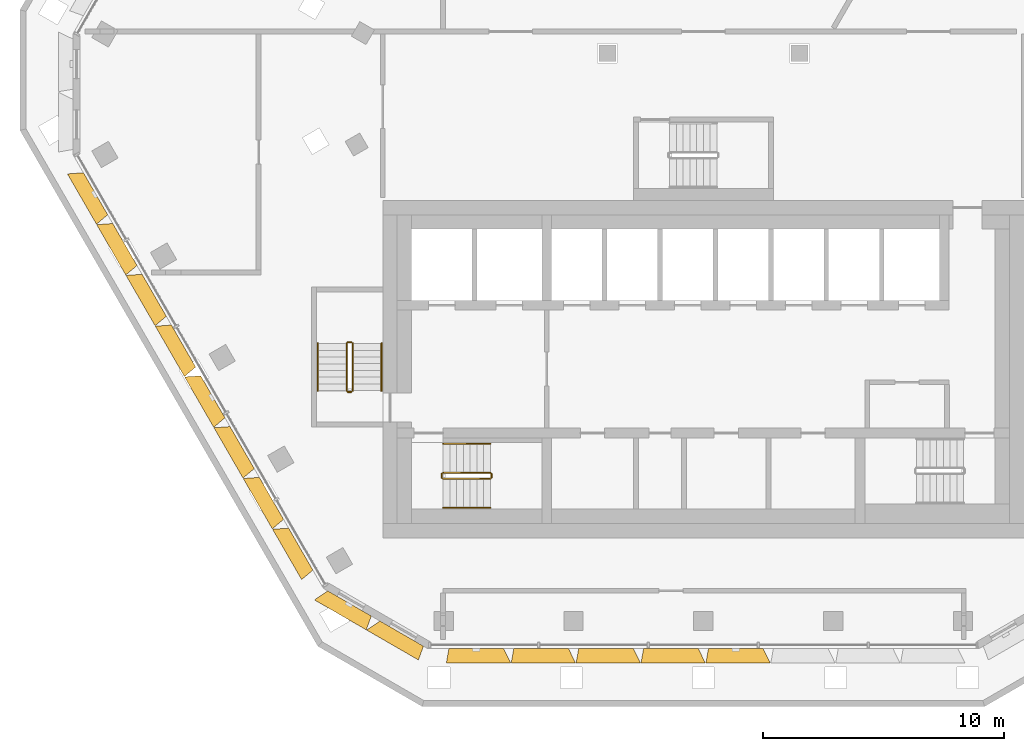
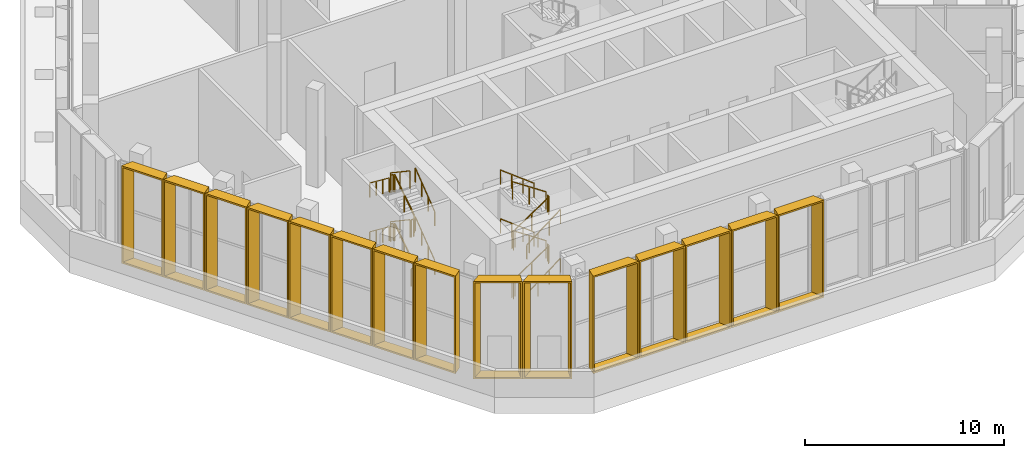
# One storey, part 19 of 23: 24 railings, 15 shading devices.
"""IFC4 building model written with IfcOpenShell, lengths in metres."""

from ifc_helpers import new_model, entity, si_unit, direction, frame, origin, origin_2d, place, context, subcontext, project, spatial, rectangle, extrude, source, transform, mapped, material, type_object, type_shapes, element, save


model = new_model("IFC4")

# Units and contexts
model_context = context("Model", 3, precision=1e-05, world=origin(), true_north=direction((0.0, 1.0)))
body_context = subcontext(model_context, "Body", "Model", "MODEL_VIEW")
ifc_project = project(units=[si_unit("LENGTHUNIT", "METRE"), si_unit("AREAUNIT", "SQUARE_METRE"), si_unit("VOLUMEUNIT", "CUBIC_METRE"), si_unit("PLANEANGLEUNIT", "RADIAN"), si_unit("MASSUNIT", "GRAM", prefix="KILO")], contexts=[model_context])

# Site, building, storey
site_placement = place(None, origin())
site = spatial("IfcSite", under=ifc_project, at=site_placement, CompositionType="ELEMENT")
building_placement = place(site_placement, origin())
building = spatial("IfcBuilding", under=site, at=building_placement, Name="Beryl Residences", CompositionType="ELEMENT")
storey_placement = place(building_placement, frame((0.0, 0.0, 157.199951171875)))
storey = spatial("IfcBuildingStorey", under=building, at=storey_placement, Name="L48", CompositionType="ELEMENT", Elevation=157.199951171875)

# Shading devices
ifc_material_1 = material(Name="Aluminium pale anodised", Category="aluminium")
shading_device_type_1 = type_object("IfcShadingDeviceType", Name="FR243-60B-H60 OUTER SKIN frame 600 mm deep, splay 26/10 deg, 2430 x 6000 mm cell", PredefinedType="USERDEFINED", material=ifc_material_1)
cartesian_point_1 = entity("IfcCartesianPoint", [-1.005615234375, 0.0])
cartesian_point_2 = entity("IfcCartesianPoint", [-0.91650390625, 0.10009765625])
cartesian_point_3 = entity("IfcCartesianPoint", [-1.298095703125, 0.0])
cartesian_point_4 = entity("IfcCartesianPoint", [-1.209228515625, 0.10009765625])
shared_shape_1 = source(origin(), body_context, "Body", "SweptSolid", [
    entity("IfcExtrudedAreaSolidTapered", entity("IfcArbitraryProfileDefWithVoids", "AREA", None, entity("IfcPolyline", [cartesian_point_1, entity("IfcCartesianPoint", [1.005615234375, 0.0]), entity("IfcCartesianPoint", [1.005615234375, 6.0]), entity("IfcCartesianPoint", [-1.005615234375, 6.0]), cartesian_point_1]), [entity("IfcPolyline", [cartesian_point_2, entity("IfcCartesianPoint", [0.92431640625, 0.10009765625]), entity("IfcCartesianPoint", [0.92431640625, 5.89990234375]), entity("IfcCartesianPoint", [-0.91650390625, 5.89990234375]), cartesian_point_2])]), entity("IfcAxis2Placement3D", entity("IfcCartesianPoint", [0.0, 0.0, 0.0]), entity("IfcDirection", [0.0, 1.0, 0.0]), entity("IfcDirection", [-1.0, 0.0, 0.0])), entity("IfcDirection", [0.0, 0.0, 1.0]), 0.60009765625, entity("IfcArbitraryProfileDefWithVoids", "AREA", None, entity("IfcPolyline", [cartesian_point_3, entity("IfcCartesianPoint", [1.111328125, 0.0]), entity("IfcCartesianPoint", [1.111328125, 6.0]), entity("IfcCartesianPoint", [-1.298095703125, 6.0]), cartesian_point_3]), [entity("IfcPolyline", [cartesian_point_4, entity("IfcCartesianPoint", [1.030029296875, 0.10009765625]), entity("IfcCartesianPoint", [1.030029296875, 5.89990234375]), entity("IfcCartesianPoint", [-1.209228515625, 5.89990234375]), cartesian_point_4])])),
])
type_shapes(shading_device_type_1, [shared_shape_1])
for number, where, z_axis, x_axis, name in (
    (1, (-25.212890625, -4.72802734375, 0.0), (0.0, 0.0, 1.0), (-0.5, 0.866025403784, 0.0), "FR243-60B-H60 frame L48 SW 1"),
    (2, (-23.9970703125, -6.833984375, 0.0), (0.0, 0.0, 1.0), (-0.5, 0.866025403784, 0.0), "FR243-60B-H60 frame L48 SW 2"),
    (3, (-22.781005859375, -8.93994140625, 0.0), (0.0, 0.0, 1.0), (-0.5, 0.866025403784, 0.0), "FR243-60B-H60 frame L48 SW 3"),
    (4, (-21.56494140625, -11.0458984375, 0.0), (0.0, 0.0, 1.0), (-0.5, 0.866025403784, 0.0), "FR243-60B-H60 frame L48 SW 4"),
    (5, (-20.35009765625, -13.152099609375, 0.0), (0.0, 0.0, 1.0), (-0.5, 0.866025403784, 0.0), "FR243-60B-H60 frame L48 SW 5"),
    (6, (-19.134033203125, -15.258056640625, 0.0), (0.0, 0.0, 1.0), (-0.5, 0.866025403784, 0.0), "FR243-60B-H60 frame L48 SW 6"),
    (7, (-17.91796875, -17.364990234375, 0.0), (0.0, 0.0, 1.0), (-0.5, 0.866025403784, 0.0), "FR243-60B-H60 frame L48 SW 7"),
    (8, (-16.701904296875, -19.470947265625, 0.0), (0.0, 0.0, 1.0), (-0.5, 0.866025403784, 0.0), "FR243-60B-H60 frame L48 SW 8"),
):
    element("IfcShadingDevice", number, at=place(storey_placement, frame(where, z_axis=z_axis, x_axis=x_axis)), inside=storey, type_object=shading_device_type_1, Name=name, ObjectType="OUTER SKIN", PredefinedType="USERDEFINED", context=body_context, shape_type="MappedRepresentation", body=[
        mapped(shared_shape_1, transform((0.0, 0.0, 0.0))),
    ])
ifc_material_2 = material(Name="Aluminium pale anodised", Category="aluminium")
shading_device_type_2 = type_object("IfcShadingDeviceType", Name="FR250-60B-H60 OUTER SKIN frame 600 mm deep, splay 26/10 deg, 2500 x 6000 mm cell", PredefinedType="USERDEFINED", material=ifc_material_2)
cartesian_point_5 = entity("IfcCartesianPoint", [-1.04052734375, 0.0])
cartesian_point_6 = entity("IfcCartesianPoint", [-0.951416015625, 0.10009765625])
cartesian_point_7 = entity("IfcCartesianPoint", [-1.333251953125, 0.0])
cartesian_point_8 = entity("IfcCartesianPoint", [-1.244140625, 0.10009765625])
shared_shape_2 = source(origin(), body_context, "Body", "SweptSolid", [
    entity("IfcExtrudedAreaSolidTapered", entity("IfcArbitraryProfileDefWithVoids", "AREA", None, entity("IfcPolyline", [cartesian_point_5, entity("IfcCartesianPoint", [1.04052734375, 0.0]), entity("IfcCartesianPoint", [1.04052734375, 6.0]), entity("IfcCartesianPoint", [-1.04052734375, 6.0]), cartesian_point_5]), [entity("IfcPolyline", [cartesian_point_6, entity("IfcCartesianPoint", [0.959228515625, 0.10009765625]), entity("IfcCartesianPoint", [0.959228515625, 5.89990234375]), entity("IfcCartesianPoint", [-0.951416015625, 5.89990234375]), cartesian_point_6])]), entity("IfcAxis2Placement3D", entity("IfcCartesianPoint", [0.0, 0.0, 0.0]), entity("IfcDirection", [0.0, 1.0, 0.0]), entity("IfcDirection", [-1.0, 0.0, 0.0])), entity("IfcDirection", [0.0, 0.0, 1.0]), 0.60009765625, entity("IfcArbitraryProfileDefWithVoids", "AREA", None, entity("IfcPolyline", [cartesian_point_7, entity("IfcCartesianPoint", [1.146240234375, 0.0]), entity("IfcCartesianPoint", [1.146240234375, 6.0]), entity("IfcCartesianPoint", [-1.333251953125, 6.0]), cartesian_point_7]), [entity("IfcPolyline", [cartesian_point_8, entity("IfcCartesianPoint", [1.06494140625, 0.10009765625]), entity("IfcCartesianPoint", [1.06494140625, 5.89990234375]), entity("IfcCartesianPoint", [-1.244140625, 5.89990234375]), cartesian_point_8])])),
])
type_shapes(shading_device_type_2, [shared_shape_2])
for number, where, z_axis, x_axis, name in (
    (9, (-14.677978515625, -21.72509765625, 0.0), (0.0, 0.0, 1.0), (-0.866025403784, 0.5, 0.0), "FR250-60B-H60 frame L48 SW-S 1"),
    (10, (-12.513916015625, -22.97509765625, 0.0), (0.0, 0.0, 1.0), (-0.866025403784, 0.5, 0.0), "FR250-60B-H60 frame L48 SW-S 2"),
):
    element("IfcShadingDevice", number, at=place(storey_placement, frame(where, z_axis=z_axis, x_axis=x_axis)), inside=storey, type_object=shading_device_type_2, Name=name, ObjectType="OUTER SKIN", PredefinedType="USERDEFINED", context=body_context, shape_type="MappedRepresentation", body=[
        mapped(shared_shape_2, transform((0.0, 0.0, 0.0))),
    ])
ifc_material_3 = material(Name="Aluminium pale anodised", Category="aluminium")
shading_device_type_3 = type_object("IfcShadingDeviceType", Name="FR269-60C-H60 OUTER SKIN frame 600 mm deep, splay 10/26 deg, 2690 x 6000 mm cell", PredefinedType="USERDEFINED", material=ifc_material_3)
cartesian_point_9 = entity("IfcCartesianPoint", [-1.135498046875, 0.0])
cartesian_point_10 = entity("IfcCartesianPoint", [-1.05419921875, 0.10009765625])
cartesian_point_11 = entity("IfcCartesianPoint", [-1.2412109375, 0.0])
cartesian_point_12 = entity("IfcCartesianPoint", [-1.16015625, 0.10009765625])
shared_shape_3 = source(origin(), body_context, "Body", "SweptSolid", [
    entity("IfcExtrudedAreaSolidTapered", entity("IfcArbitraryProfileDefWithVoids", "AREA", None, entity("IfcPolyline", [cartesian_point_9, entity("IfcCartesianPoint", [1.135498046875, 0.0]), entity("IfcCartesianPoint", [1.135498046875, 6.0]), entity("IfcCartesianPoint", [-1.135498046875, 6.0]), cartesian_point_9]), [entity("IfcPolyline", [cartesian_point_10, entity("IfcCartesianPoint", [1.04638671875, 0.10009765625]), entity("IfcCartesianPoint", [1.04638671875, 5.89990234375]), entity("IfcCartesianPoint", [-1.05419921875, 5.89990234375]), cartesian_point_10])]), entity("IfcAxis2Placement3D", entity("IfcCartesianPoint", [0.0, 0.0, 0.0]), entity("IfcDirection", [0.0, 1.0, 0.0]), entity("IfcDirection", [-1.0, 0.0, 0.0])), entity("IfcDirection", [0.0, 0.0, 1.0]), 0.60009765625, entity("IfcArbitraryProfileDefWithVoids", "AREA", None, entity("IfcPolyline", [cartesian_point_11, entity("IfcCartesianPoint", [1.42822265625, 0.0]), entity("IfcCartesianPoint", [1.42822265625, 6.0]), entity("IfcCartesianPoint", [-1.2412109375, 6.0]), cartesian_point_11]), [entity("IfcPolyline", [cartesian_point_12, entity("IfcCartesianPoint", [1.339111328125, 0.10009765625]), entity("IfcCartesianPoint", [1.339111328125, 5.89990234375]), entity("IfcCartesianPoint", [-1.16015625, 5.89990234375]), cartesian_point_12])])),
])
type_shapes(shading_device_type_3, [shared_shape_3])
for number, where, z_axis, x_axis, name in (
    (11, (-9.4208984375, -23.60009765625, 0.0), (0.0, 0.0, 1.0), (-1.0, 0.0, 0.0), "FR269-60C-H60 frame L48 S 1"),
    (12, (-6.72900390625, -23.60009765625, 0.0), (0.0, 0.0, 1.0), (-1.0, 0.0, 0.0), "FR269-60C-H60 frame L48 S 2"),
    (13, (-4.037109375, -23.60009765625, 0.0), (0.0, 0.0, 1.0), (-1.0, 0.0, 0.0), "FR269-60C-H60 frame L48 S 3"),
    (14, (-1.344970703125, -23.60009765625, 0.0), (0.0, 0.0, 1.0), (-1.0, 0.0, 0.0), "FR269-60C-H60 frame L48 S 4"),
    (15, (1.346923828125, -23.60009765625, 0.0), (0.0, 0.0, 1.0), (-1.0, 0.0, 0.0), "FR269-60C-H60 frame L48 S 5"),
):
    element("IfcShadingDevice", number, at=place(storey_placement, frame(where, z_axis=z_axis, x_axis=x_axis)), inside=storey, type_object=shading_device_type_3, Name=name, ObjectType="OUTER SKIN", PredefinedType="USERDEFINED", context=body_context, shape_type="MappedRepresentation", body=[
        mapped(shared_shape_3, transform((0.0, 0.0, 0.0))),
    ])

# Railings
ifc_material_4 = material(Name="Stainless steel balustrade with glass infill", Category="steel")
railing_type_1 = type_object("IfcRailingType", Name="SG1 stair guard 1100 mm", PredefinedType="GUARDRAIL", material=ifc_material_4)
railing_1_placement = place(storey_placement, frame((-10.800048828125, -16.550048828125, 0.1875)))
element("IfcRailing", 16, at=railing_1_placement, inside=storey, type_object=railing_type_1, Name="L48 ST-1 stair guard 1", PredefinedType="GUARDRAIL", context=body_context, shape_type="SweptSolid", body=[
    extrude(rectangle(XDim=0.048095703125, YDim=0.048095703125, at=origin_2d()), frame((0.0, 0.0, 1.076171875), z_axis=(0.830902050051, 0.0, 0.556418712142), x_axis=(0.0, 1.0, 0.0)), (0.0, 0.0, 1.0), 2.35888671875),
    extrude(rectangle(XDim=0.0419921875, YDim=0.0419921875, at=origin_2d()), origin(), (0.0, 0.0, 1.0), 1.052001953125),
    extrude(rectangle(XDim=0.0419921875, YDim=0.0419921875, at=origin_2d()), frame((0.97998046875, 0.0, 0.65625)), (0.0, 0.0, 1.0), 1.052001953125),
    extrude(rectangle(XDim=0.0419921875, YDim=0.0419921875, at=origin_2d()), frame((1.9599609375, 0.0, 1.3125)), (0.0, 0.0, 1.0), 1.052001953125),
])
railing_2_placement = place(storey_placement, frame((-8.7900390625, -16.5, 1.5)))
element("IfcRailing", 17, at=railing_2_placement, inside=storey, type_object=railing_type_1, Name="L48 ST-1 stair guard 2", PredefinedType="GUARDRAIL", context=body_context, shape_type="SweptSolid", body=[
    extrude(rectangle(XDim=0.048095703125, YDim=0.048095703125, at=origin_2d()), frame((0.0, 0.0, 1.076171875), z_axis=(0.0, 1.0, 0.0), x_axis=(-1.0, 0.0, 0.0)), (0.0, 0.0, 1.0), 0.14990234375),
    extrude(rectangle(XDim=0.0419921875, YDim=0.0419921875, at=origin_2d()), origin(), (0.0, 0.0, 1.0), 1.052001953125),
    extrude(rectangle(XDim=0.0419921875, YDim=0.0419921875, at=origin_2d()), frame((0.0, 0.14990234375, 0.0)), (0.0, 0.0, 1.0), 1.052001953125),
])
railing_3_placement = place(storey_placement, frame((-8.840087890625, -16.300048828125, 1.6875)))
element("IfcRailing", 18, at=railing_3_placement, inside=storey, type_object=railing_type_1, Name="L48 ST-1 stair guard 3", PredefinedType="GUARDRAIL", context=body_context, shape_type="SweptSolid", body=[
    extrude(rectangle(XDim=0.048095703125, YDim=0.048095703125, at=origin_2d()), frame((0.0, 0.0, 1.076171875), z_axis=(-0.830902050051, 0.0, 0.556418712142), x_axis=(0.0, -1.0, 0.0)), (0.0, 0.0, 1.0), 2.35888671875),
    extrude(rectangle(XDim=0.0419921875, YDim=0.0419921875, at=origin_2d()), origin(), (0.0, 0.0, 1.0), 1.052001953125),
    extrude(rectangle(XDim=0.0419921875, YDim=0.0419921875, at=origin_2d()), frame((-0.97998046875, 0.0, 0.65625)), (0.0, 0.0, 1.0), 1.052001953125),
    extrude(rectangle(XDim=0.0419921875, YDim=0.0419921875, at=origin_2d()), frame((-1.9599609375, 0.0, 1.3125)), (0.0, 0.0, 1.0), 1.052001953125),
])
railing_4_placement = place(storey_placement, frame((-10.85009765625, -16.5, 3.0)))
element("IfcRailing", 19, at=railing_4_placement, inside=storey, type_object=railing_type_1, Name="L48 ST-1 stair guard 4", PredefinedType="GUARDRAIL", context=body_context, shape_type="SweptSolid", body=[
    extrude(rectangle(XDim=0.048095703125, YDim=0.048095703125, at=origin_2d()), frame((0.0, 0.0, 1.076171875), z_axis=(0.0, 1.0, 0.0), x_axis=(-1.0, 0.0, 0.0)), (0.0, 0.0, 1.0), 0.14990234375),
    extrude(rectangle(XDim=0.0419921875, YDim=0.0419921875, at=origin_2d()), origin(), (0.0, 0.0, 1.0), 1.052001953125),
    extrude(rectangle(XDim=0.0419921875, YDim=0.0419921875, at=origin_2d()), frame((0.0, 0.14990234375, 0.0)), (0.0, 0.0, 1.0), 1.052001953125),
])
railing_5_placement = place(storey_placement, frame((-10.800048828125, -16.550048828125, 3.1875)))
element("IfcRailing", 20, at=railing_5_placement, inside=storey, type_object=railing_type_1, Name="L48 ST-1 stair guard 5", PredefinedType="GUARDRAIL", context=body_context, shape_type="SweptSolid", body=[
    extrude(rectangle(XDim=0.048095703125, YDim=0.048095703125, at=origin_2d()), frame((0.0, 0.0, 1.076171875), z_axis=(0.830902050051, 0.0, 0.556418712142), x_axis=(0.0, 1.0, 0.0)), (0.0, 0.0, 1.0), 2.35888671875),
    extrude(rectangle(XDim=0.0419921875, YDim=0.0419921875, at=origin_2d()), origin(), (0.0, 0.0, 1.0), 1.052001953125),
    extrude(rectangle(XDim=0.0419921875, YDim=0.0419921875, at=origin_2d()), frame((0.97998046875, 0.0, 0.65625)), (0.0, 0.0, 1.0), 1.052001953125),
    extrude(rectangle(XDim=0.0419921875, YDim=0.0419921875, at=origin_2d()), frame((1.9599609375, 0.0, 1.3125)), (0.0, 0.0, 1.0), 1.052001953125),
])
railing_6_placement = place(storey_placement, frame((-8.7900390625, -16.5, 4.5)))
element("IfcRailing", 21, at=railing_6_placement, inside=storey, type_object=railing_type_1, Name="L48 ST-1 stair guard 6", PredefinedType="GUARDRAIL", context=body_context, shape_type="SweptSolid", body=[
    extrude(rectangle(XDim=0.048095703125, YDim=0.048095703125, at=origin_2d()), frame((0.0, 0.0, 1.076171875), z_axis=(0.0, 1.0, 0.0), x_axis=(-1.0, 0.0, 0.0)), (0.0, 0.0, 1.0), 0.14990234375),
    extrude(rectangle(XDim=0.0419921875, YDim=0.0419921875, at=origin_2d()), origin(), (0.0, 0.0, 1.0), 1.052001953125),
    extrude(rectangle(XDim=0.0419921875, YDim=0.0419921875, at=origin_2d()), frame((0.0, 0.14990234375, 0.0)), (0.0, 0.0, 1.0), 1.052001953125),
])
railing_7_placement = place(storey_placement, frame((-8.840087890625, -16.300048828125, 4.6875)))
element("IfcRailing", 22, at=railing_7_placement, inside=storey, type_object=railing_type_1, Name="L48 ST-1 stair guard 7", PredefinedType="GUARDRAIL", context=body_context, shape_type="SweptSolid", body=[
    extrude(rectangle(XDim=0.048095703125, YDim=0.048095703125, at=origin_2d()), frame((0.0, 0.0, 1.076171875), z_axis=(-0.830902050051, 0.0, 0.556418712142), x_axis=(0.0, -1.0, 0.0)), (0.0, 0.0, 1.0), 2.35888671875),
    extrude(rectangle(XDim=0.0419921875, YDim=0.0419921875, at=origin_2d()), origin(), (0.0, 0.0, 1.0), 1.052001953125),
    extrude(rectangle(XDim=0.0419921875, YDim=0.0419921875, at=origin_2d()), frame((-0.97998046875, 0.0, 0.65625)), (0.0, 0.0, 1.0), 1.052001953125),
    extrude(rectangle(XDim=0.0419921875, YDim=0.0419921875, at=origin_2d()), frame((-1.9599609375, 0.0, 1.3125)), (0.0, 0.0, 1.0), 1.052001953125),
])
railing_8_placement = place(storey_placement, frame((-10.85009765625, -16.5, 0.0)))
element("IfcRailing", 23, at=railing_8_placement, inside=storey, type_object=railing_type_1, Name="L48 ST-1 stair guard 8", PredefinedType="GUARDRAIL", context=body_context, shape_type="SweptSolid", body=[
    extrude(rectangle(XDim=0.048095703125, YDim=0.048095703125, at=origin_2d()), frame((0.0, 0.0, 1.076171875), z_axis=(0.0, 1.0, 0.0), x_axis=(-1.0, 0.0, 0.0)), (0.0, 0.0, 1.0), 0.14990234375),
    extrude(rectangle(XDim=0.0419921875, YDim=0.0419921875, at=origin_2d()), origin(), (0.0, 0.0, 1.0), 1.052001953125),
    extrude(rectangle(XDim=0.0419921875, YDim=0.0419921875, at=origin_2d()), frame((0.0, 0.14990234375, 0.0)), (0.0, 0.0, 1.0), 1.052001953125),
])
railing_9_placement = place(storey_placement, frame((-14.550048828125, -12.89990234375, 0.1875)))
element("IfcRailing", 24, at=railing_9_placement, inside=storey, type_object=railing_type_1, Name="L48 ST-2 stair guard 1", PredefinedType="GUARDRAIL", context=body_context, shape_type="SweptSolid", body=[
    extrude(rectangle(XDim=0.048095703125, YDim=0.048095703125, at=origin_2d()), frame((0.0, 0.0, 1.076171875), z_axis=(0.0, 0.830902050051, 0.556418712142), x_axis=(-1.0, 0.0, 0.0)), (0.0, 0.0, 1.0), 2.35888671875),
    extrude(rectangle(XDim=0.0419921875, YDim=0.0419921875, at=origin_2d()), origin(), (0.0, 0.0, 1.0), 1.052001953125),
    extrude(rectangle(XDim=0.0419921875, YDim=0.0419921875, at=origin_2d()), frame((0.0, 0.97998046875, 0.65625)), (0.0, 0.0, 1.0), 1.052001953125),
    extrude(rectangle(XDim=0.0419921875, YDim=0.0419921875, at=origin_2d()), frame((0.0, 1.9599609375, 1.3125)), (0.0, 0.0, 1.0), 1.052001953125),
])
railing_10_placement = place(storey_placement, frame((-14.60009765625, -10.889892578125, 1.5)))
element("IfcRailing", 25, at=railing_10_placement, inside=storey, type_object=railing_type_1, Name="L48 ST-2 stair guard 2", PredefinedType="GUARDRAIL", context=body_context, shape_type="SweptSolid", body=[
    extrude(rectangle(XDim=0.048095703125, YDim=0.048095703125, at=origin_2d()), frame((0.0, 0.0, 1.076171875), z_axis=(-1.0, 0.0, 0.0), x_axis=(0.0, -1.0, 0.0)), (0.0, 0.0, 1.0), 0.14990234375),
    extrude(rectangle(XDim=0.0419921875, YDim=0.0419921875, at=origin_2d()), origin(), (0.0, 0.0, 1.0), 1.052001953125),
    extrude(rectangle(XDim=0.0419921875, YDim=0.0419921875, at=origin_2d()), frame((-0.14990234375, 0.0, 0.0)), (0.0, 0.0, 1.0), 1.052001953125),
])
railing_11_placement = place(storey_placement, frame((-14.800048828125, -10.93994140625, 1.6875)))
element("IfcRailing", 26, at=railing_11_placement, inside=storey, type_object=railing_type_1, Name="L48 ST-2 stair guard 3", PredefinedType="GUARDRAIL", context=body_context, shape_type="SweptSolid", body=[
    extrude(rectangle(XDim=0.048095703125, YDim=0.048095703125, at=origin_2d()), frame((0.0, 0.0, 1.076171875), z_axis=(0.0, -0.830902050051, 0.556418712142), x_axis=(1.0, 0.0, 0.0)), (0.0, 0.0, 1.0), 2.35888671875),
    extrude(rectangle(XDim=0.0419921875, YDim=0.0419921875, at=origin_2d()), origin(), (0.0, 0.0, 1.0), 1.052001953125),
    extrude(rectangle(XDim=0.0419921875, YDim=0.0419921875, at=origin_2d()), frame((0.0, -0.97998046875, 0.65625)), (0.0, 0.0, 1.0), 1.052001953125),
    extrude(rectangle(XDim=0.0419921875, YDim=0.0419921875, at=origin_2d()), frame((0.0, -1.9599609375, 1.3125)), (0.0, 0.0, 1.0), 1.052001953125),
])
railing_12_placement = place(storey_placement, frame((-14.60009765625, -12.949951171875, 3.0)))
element("IfcRailing", 27, at=railing_12_placement, inside=storey, type_object=railing_type_1, Name="L48 ST-2 stair guard 4", PredefinedType="GUARDRAIL", context=body_context, shape_type="SweptSolid", body=[
    extrude(rectangle(XDim=0.048095703125, YDim=0.048095703125, at=origin_2d()), frame((0.0, 0.0, 1.076171875), z_axis=(-1.0, 0.0, 0.0), x_axis=(0.0, -1.0, 0.0)), (0.0, 0.0, 1.0), 0.14990234375),
    extrude(rectangle(XDim=0.0419921875, YDim=0.0419921875, at=origin_2d()), origin(), (0.0, 0.0, 1.0), 1.052001953125),
    extrude(rectangle(XDim=0.0419921875, YDim=0.0419921875, at=origin_2d()), frame((-0.14990234375, 0.0, 0.0)), (0.0, 0.0, 1.0), 1.052001953125),
])
railing_13_placement = place(storey_placement, frame((-14.550048828125, -12.89990234375, 3.1875)))
element("IfcRailing", 28, at=railing_13_placement, inside=storey, type_object=railing_type_1, Name="L48 ST-2 stair guard 5", PredefinedType="GUARDRAIL", context=body_context, shape_type="SweptSolid", body=[
    extrude(rectangle(XDim=0.048095703125, YDim=0.048095703125, at=origin_2d()), frame((0.0, 0.0, 1.076171875), z_axis=(0.0, 0.830902050051, 0.556418712142), x_axis=(-1.0, 0.0, 0.0)), (0.0, 0.0, 1.0), 2.35888671875),
    extrude(rectangle(XDim=0.0419921875, YDim=0.0419921875, at=origin_2d()), origin(), (0.0, 0.0, 1.0), 1.052001953125),
    extrude(rectangle(XDim=0.0419921875, YDim=0.0419921875, at=origin_2d()), frame((0.0, 0.97998046875, 0.65625)), (0.0, 0.0, 1.0), 1.052001953125),
    extrude(rectangle(XDim=0.0419921875, YDim=0.0419921875, at=origin_2d()), frame((0.0, 1.9599609375, 1.3125)), (0.0, 0.0, 1.0), 1.052001953125),
])
railing_14_placement = place(storey_placement, frame((-14.60009765625, -10.889892578125, 4.5)))
element("IfcRailing", 29, at=railing_14_placement, inside=storey, type_object=railing_type_1, Name="L48 ST-2 stair guard 6", PredefinedType="GUARDRAIL", context=body_context, shape_type="SweptSolid", body=[
    extrude(rectangle(XDim=0.048095703125, YDim=0.048095703125, at=origin_2d()), frame((0.0, 0.0, 1.076171875), z_axis=(-1.0, 0.0, 0.0), x_axis=(0.0, -1.0, 0.0)), (0.0, 0.0, 1.0), 0.14990234375),
    extrude(rectangle(XDim=0.0419921875, YDim=0.0419921875, at=origin_2d()), origin(), (0.0, 0.0, 1.0), 1.052001953125),
    extrude(rectangle(XDim=0.0419921875, YDim=0.0419921875, at=origin_2d()), frame((-0.14990234375, 0.0, 0.0)), (0.0, 0.0, 1.0), 1.052001953125),
])
railing_15_placement = place(storey_placement, frame((-14.800048828125, -10.93994140625, 4.6875)))
element("IfcRailing", 30, at=railing_15_placement, inside=storey, type_object=railing_type_1, Name="L48 ST-2 stair guard 7", PredefinedType="GUARDRAIL", context=body_context, shape_type="SweptSolid", body=[
    extrude(rectangle(XDim=0.048095703125, YDim=0.048095703125, at=origin_2d()), frame((0.0, 0.0, 1.076171875), z_axis=(0.0, -0.830902050051, 0.556418712142), x_axis=(1.0, 0.0, 0.0)), (0.0, 0.0, 1.0), 2.35888671875),
    extrude(rectangle(XDim=0.0419921875, YDim=0.0419921875, at=origin_2d()), origin(), (0.0, 0.0, 1.0), 1.052001953125),
    extrude(rectangle(XDim=0.0419921875, YDim=0.0419921875, at=origin_2d()), frame((0.0, -0.97998046875, 0.65625)), (0.0, 0.0, 1.0), 1.052001953125),
    extrude(rectangle(XDim=0.0419921875, YDim=0.0419921875, at=origin_2d()), frame((0.0, -1.9599609375, 1.3125)), (0.0, 0.0, 1.0), 1.052001953125),
])
railing_16_placement = place(storey_placement, frame((-14.60009765625, -12.949951171875, 0.0)))
element("IfcRailing", 31, at=railing_16_placement, inside=storey, type_object=railing_type_1, Name="L48 ST-2 stair guard 8", PredefinedType="GUARDRAIL", context=body_context, shape_type="SweptSolid", body=[
    extrude(rectangle(XDim=0.048095703125, YDim=0.048095703125, at=origin_2d()), frame((0.0, 0.0, 1.076171875), z_axis=(-1.0, 0.0, 0.0), x_axis=(0.0, -1.0, 0.0)), (0.0, 0.0, 1.0), 0.14990234375),
    extrude(rectangle(XDim=0.0419921875, YDim=0.0419921875, at=origin_2d()), origin(), (0.0, 0.0, 1.0), 1.052001953125),
    extrude(rectangle(XDim=0.0419921875, YDim=0.0419921875, at=origin_2d()), frame((-0.14990234375, 0.0, 0.0)), (0.0, 0.0, 1.0), 1.052001953125),
])
ifc_material_5 = material(Name="Stainless steel handrail", Category="steel")
railing_type_2 = type_object("IfcRailingType", Name="SRL1 stair handrail 900 mm", PredefinedType="HANDRAIL", material=ifc_material_5)
railing_17_placement = place(storey_placement, frame((-10.800048828125, -17.75, 0.1875)))
element("IfcRailing", 32, at=railing_17_placement, inside=storey, type_object=railing_type_2, Name="L48 ST-1 stair handrail 1", PredefinedType="HANDRAIL", context=body_context, shape_type="SweptSolid", body=[
    extrude(rectangle(XDim=0.048095703125, YDim=0.048095703125, at=origin_2d()), frame((0.0, 0.0, 0.8759765625), z_axis=(0.794121922505, 0.0, 0.607758481798), x_axis=(0.0, 1.0, 0.0)), (0.0, 0.0, 1.0), 2.468017578125),
    extrude(rectangle(XDim=0.0419921875, YDim=0.0419921875, at=origin_2d()), origin(), (0.0, 0.0, 1.0), 0.851806640625),
    extrude(rectangle(XDim=0.0419921875, YDim=0.0419921875, at=origin_2d()), frame((0.6533203125, 0.0, 0.5)), (0.0, 0.0, 1.0), 0.851806640625),
    extrude(rectangle(XDim=0.0419921875, YDim=0.0419921875, at=origin_2d()), frame((1.306640625, 0.0, 1.0)), (0.0, 0.0, 1.0), 0.851806640625),
    extrude(rectangle(XDim=0.0419921875, YDim=0.0419921875, at=origin_2d()), frame((1.9599609375, 0.0, 1.5)), (0.0, 0.0, 1.0), 0.851806640625),
])
railing_18_placement = place(storey_placement, frame((-8.840087890625, -15.10009765625, 1.6875)))
element("IfcRailing", 33, at=railing_18_placement, inside=storey, type_object=railing_type_2, Name="L48 ST-1 stair handrail 2", PredefinedType="HANDRAIL", context=body_context, shape_type="SweptSolid", body=[
    extrude(rectangle(XDim=0.048095703125, YDim=0.048095703125, at=origin_2d()), frame((0.0, 0.0, 0.8759765625), z_axis=(-0.794121922505, 0.0, 0.607758481798), x_axis=(0.0, -1.0, 0.0)), (0.0, 0.0, 1.0), 2.468017578125),
    extrude(rectangle(XDim=0.0419921875, YDim=0.0419921875, at=origin_2d()), origin(), (0.0, 0.0, 1.0), 0.851806640625),
    extrude(rectangle(XDim=0.0419921875, YDim=0.0419921875, at=origin_2d()), frame((-0.6533203125, 0.0, 0.5)), (0.0, 0.0, 1.0), 0.851806640625),
    extrude(rectangle(XDim=0.0419921875, YDim=0.0419921875, at=origin_2d()), frame((-1.306640625, 0.0, 1.0)), (0.0, 0.0, 1.0), 0.851806640625),
    extrude(rectangle(XDim=0.0419921875, YDim=0.0419921875, at=origin_2d()), frame((-1.9599609375, 0.0, 1.5)), (0.0, 0.0, 1.0), 0.851806640625),
])
railing_19_placement = place(storey_placement, frame((-10.800048828125, -17.75, 3.1875)))
element("IfcRailing", 34, at=railing_19_placement, inside=storey, type_object=railing_type_2, Name="L48 ST-1 stair handrail 3", PredefinedType="HANDRAIL", context=body_context, shape_type="SweptSolid", body=[
    extrude(rectangle(XDim=0.048095703125, YDim=0.048095703125, at=origin_2d()), frame((0.0, 0.0, 0.8759765625), z_axis=(0.794121922505, 0.0, 0.607758481798), x_axis=(0.0, 1.0, 0.0)), (0.0, 0.0, 1.0), 2.468017578125),
    extrude(rectangle(XDim=0.0419921875, YDim=0.0419921875, at=origin_2d()), origin(), (0.0, 0.0, 1.0), 0.851806640625),
    extrude(rectangle(XDim=0.0419921875, YDim=0.0419921875, at=origin_2d()), frame((0.6533203125, 0.0, 0.5)), (0.0, 0.0, 1.0), 0.851806640625),
    extrude(rectangle(XDim=0.0419921875, YDim=0.0419921875, at=origin_2d()), frame((1.306640625, 0.0, 1.0)), (0.0, 0.0, 1.0), 0.851806640625),
    extrude(rectangle(XDim=0.0419921875, YDim=0.0419921875, at=origin_2d()), frame((1.9599609375, 0.0, 1.5)), (0.0, 0.0, 1.0), 0.851806640625),
])
railing_20_placement = place(storey_placement, frame((-8.840087890625, -15.10009765625, 4.6875)))
element("IfcRailing", 35, at=railing_20_placement, inside=storey, type_object=railing_type_2, Name="L48 ST-1 stair handrail 4", PredefinedType="HANDRAIL", context=body_context, shape_type="SweptSolid", body=[
    extrude(rectangle(XDim=0.048095703125, YDim=0.048095703125, at=origin_2d()), frame((0.0, 0.0, 0.8759765625), z_axis=(-0.794121922505, 0.0, 0.607758481798), x_axis=(0.0, -1.0, 0.0)), (0.0, 0.0, 1.0), 2.468017578125),
    extrude(rectangle(XDim=0.0419921875, YDim=0.0419921875, at=origin_2d()), origin(), (0.0, 0.0, 1.0), 0.851806640625),
    extrude(rectangle(XDim=0.0419921875, YDim=0.0419921875, at=origin_2d()), frame((-0.6533203125, 0.0, 0.5)), (0.0, 0.0, 1.0), 0.851806640625),
    extrude(rectangle(XDim=0.0419921875, YDim=0.0419921875, at=origin_2d()), frame((-1.306640625, 0.0, 1.0)), (0.0, 0.0, 1.0), 0.851806640625),
    extrude(rectangle(XDim=0.0419921875, YDim=0.0419921875, at=origin_2d()), frame((-1.9599609375, 0.0, 1.5)), (0.0, 0.0, 1.0), 0.851806640625),
])
railing_21_placement = place(storey_placement, frame((-13.35009765625, -12.89990234375, 0.1875)))
element("IfcRailing", 36, at=railing_21_placement, inside=storey, type_object=railing_type_2, Name="L48 ST-2 stair handrail 1", PredefinedType="HANDRAIL", context=body_context, shape_type="SweptSolid", body=[
    extrude(rectangle(XDim=0.048095703125, YDim=0.048095703125, at=origin_2d()), frame((0.0, 0.0, 0.8759765625), z_axis=(0.0, 0.794121922505, 0.607758481798), x_axis=(-1.0, 0.0, 0.0)), (0.0, 0.0, 1.0), 2.468017578125),
    extrude(rectangle(XDim=0.0419921875, YDim=0.0419921875, at=origin_2d()), origin(), (0.0, 0.0, 1.0), 0.851806640625),
    extrude(rectangle(XDim=0.0419921875, YDim=0.0419921875, at=origin_2d()), frame((0.0, 0.6533203125, 0.5)), (0.0, 0.0, 1.0), 0.851806640625),
    extrude(rectangle(XDim=0.0419921875, YDim=0.0419921875, at=origin_2d()), frame((0.0, 1.306640625, 1.0)), (0.0, 0.0, 1.0), 0.851806640625),
    extrude(rectangle(XDim=0.0419921875, YDim=0.0419921875, at=origin_2d()), frame((0.0, 1.9599609375, 1.5)), (0.0, 0.0, 1.0), 0.851806640625),
])
railing_22_placement = place(storey_placement, frame((-16.0, -10.93994140625, 1.6875)))
element("IfcRailing", 37, at=railing_22_placement, inside=storey, type_object=railing_type_2, Name="L48 ST-2 stair handrail 2", PredefinedType="HANDRAIL", context=body_context, shape_type="SweptSolid", body=[
    extrude(rectangle(XDim=0.048095703125, YDim=0.048095703125, at=origin_2d()), frame((0.0, 0.0, 0.8759765625), z_axis=(0.0, -0.794121922505, 0.607758481798), x_axis=(1.0, 0.0, 0.0)), (0.0, 0.0, 1.0), 2.468017578125),
    extrude(rectangle(XDim=0.0419921875, YDim=0.0419921875, at=origin_2d()), origin(), (0.0, 0.0, 1.0), 0.851806640625),
    extrude(rectangle(XDim=0.0419921875, YDim=0.0419921875, at=origin_2d()), frame((0.0, -0.6533203125, 0.5)), (0.0, 0.0, 1.0), 0.851806640625),
    extrude(rectangle(XDim=0.0419921875, YDim=0.0419921875, at=origin_2d()), frame((0.0, -1.306640625, 1.0)), (0.0, 0.0, 1.0), 0.851806640625),
    extrude(rectangle(XDim=0.0419921875, YDim=0.0419921875, at=origin_2d()), frame((0.0, -1.9599609375, 1.5)), (0.0, 0.0, 1.0), 0.851806640625),
])
railing_23_placement = place(storey_placement, frame((-13.35009765625, -12.89990234375, 3.1875)))
element("IfcRailing", 38, at=railing_23_placement, inside=storey, type_object=railing_type_2, Name="L48 ST-2 stair handrail 3", PredefinedType="HANDRAIL", context=body_context, shape_type="SweptSolid", body=[
    extrude(rectangle(XDim=0.048095703125, YDim=0.048095703125, at=origin_2d()), frame((0.0, 0.0, 0.8759765625), z_axis=(0.0, 0.794121922505, 0.607758481798), x_axis=(-1.0, 0.0, 0.0)), (0.0, 0.0, 1.0), 2.468017578125),
    extrude(rectangle(XDim=0.0419921875, YDim=0.0419921875, at=origin_2d()), origin(), (0.0, 0.0, 1.0), 0.851806640625),
    extrude(rectangle(XDim=0.0419921875, YDim=0.0419921875, at=origin_2d()), frame((0.0, 0.6533203125, 0.5)), (0.0, 0.0, 1.0), 0.851806640625),
    extrude(rectangle(XDim=0.0419921875, YDim=0.0419921875, at=origin_2d()), frame((0.0, 1.306640625, 1.0)), (0.0, 0.0, 1.0), 0.851806640625),
    extrude(rectangle(XDim=0.0419921875, YDim=0.0419921875, at=origin_2d()), frame((0.0, 1.9599609375, 1.5)), (0.0, 0.0, 1.0), 0.851806640625),
])
railing_24_placement = place(storey_placement, frame((-16.0, -10.93994140625, 4.6875)))
element("IfcRailing", 39, at=railing_24_placement, inside=storey, type_object=railing_type_2, Name="L48 ST-2 stair handrail 4", PredefinedType="HANDRAIL", context=body_context, shape_type="SweptSolid", body=[
    extrude(rectangle(XDim=0.048095703125, YDim=0.048095703125, at=origin_2d()), frame((0.0, 0.0, 0.8759765625), z_axis=(0.0, -0.794121922505, 0.607758481798), x_axis=(1.0, 0.0, 0.0)), (0.0, 0.0, 1.0), 2.468017578125),
    extrude(rectangle(XDim=0.0419921875, YDim=0.0419921875, at=origin_2d()), origin(), (0.0, 0.0, 1.0), 0.851806640625),
    extrude(rectangle(XDim=0.0419921875, YDim=0.0419921875, at=origin_2d()), frame((0.0, -0.6533203125, 0.5)), (0.0, 0.0, 1.0), 0.851806640625),
    extrude(rectangle(XDim=0.0419921875, YDim=0.0419921875, at=origin_2d()), frame((0.0, -1.306640625, 1.0)), (0.0, 0.0, 1.0), 0.851806640625),
    extrude(rectangle(XDim=0.0419921875, YDim=0.0419921875, at=origin_2d()), frame((0.0, -1.9599609375, 1.5)), (0.0, 0.0, 1.0), 0.851806640625),
])

save(model, "model.ifc")
